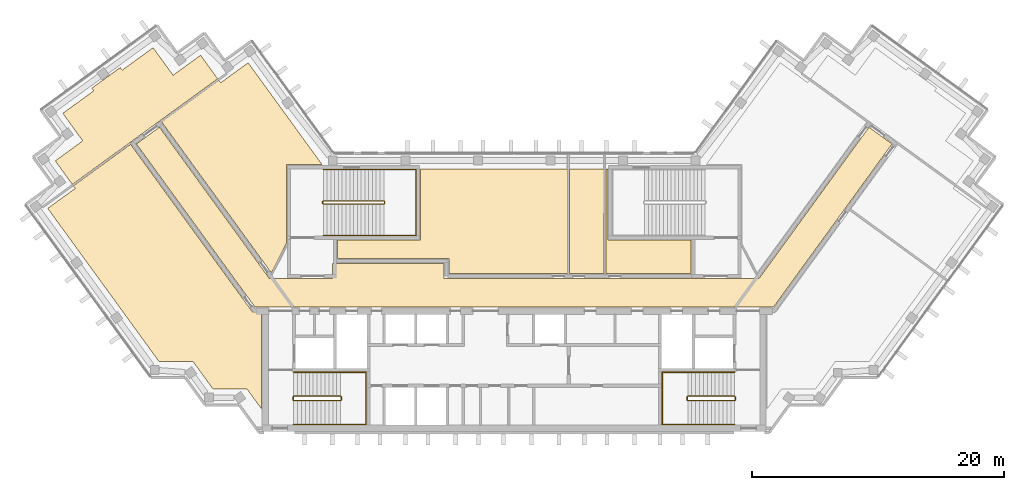
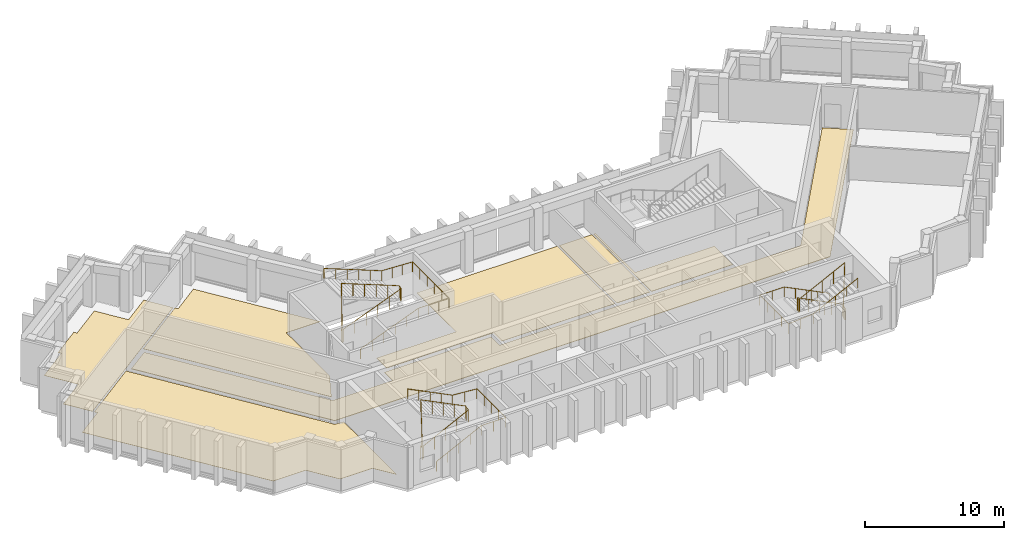
# One storey, part 7 of 8: 7 coverings, 6 railings.
"""IFC4 building model written with IfcOpenShell, lengths in metres."""

from ifc_helpers import new_model, si_unit, direction, frame, origin, origin_2d, place, context, subcontext, project, spatial, polyline, circle, outline, extrude, material, layer, layer_set, type_object, element, save


model = new_model("IFC4")

# Units and contexts
model_context = context("Model", 3, precision=1e-05, world=origin(), true_north=direction((0.0, 1.0)))
body_context = subcontext(model_context, "Body", "Model", "MODEL_VIEW")
ifc_project = project(units=[si_unit("LENGTHUNIT", "METRE"), si_unit("AREAUNIT", "SQUARE_METRE"), si_unit("VOLUMEUNIT", "CUBIC_METRE"), si_unit("PLANEANGLEUNIT", "RADIAN"), si_unit("MASSUNIT", "GRAM", prefix="KILO")], contexts=[model_context])

# Site, building, storey
site_placement = place(None, origin())
site = spatial("IfcSite", under=ifc_project, at=site_placement, CompositionType="ELEMENT")
building_placement = place(site_placement, origin())
building = spatial("IfcBuilding", under=site, at=building_placement, Name="Quipu Civic Tower", CompositionType="ELEMENT")
storey_placement = place(building_placement, frame((0.0, 0.0, 343.0)))
storey = spatial("IfcBuildingStorey", under=building, at=storey_placement, Name="L80", CompositionType="ELEMENT", Elevation=343.0)

# Coverings
ifc_material_1 = material(Name="Carpet tile on raised access floor")
ifc_layer_1 = layer(ifc_material_1, 0.02001953125)
ifc_layer_set_1 = layer_set([ifc_layer_1], Name="Carpet tile on raised access floor")
covering_type_1 = type_object("IfcCoveringType", Name="Carpet tile floor finish 20", PredefinedType="FLOORING", material=ifc_layer_set_1)
covering_1_placement = place(storey_placement, origin())
element("IfcCovering", 1, at=covering_1_placement, inside=storey, type_object=covering_type_1, Name="Carpet tile floor finish 20", PredefinedType="FLOORING", context=body_context, shape_type="SweptSolid", body=[
    extrude(outline(polyline([(-27.987060546875, 13.5791015625), (-23.447998046875, 16.876953125), (-23.299072265625, 16.676025390625), (-21.115966796875, 18.260986328125), (-15.238037109375, 10.169921875), (-18.070068359375, 10.1689453125), (-18.070068359375, 3.94189453125), (-19.27197265625, 1.583984375), (-27.987060546875, 13.5791015625)])), origin(), (0.0, 0.0, 1.0), 0.02001953125),
])
covering_2_placement = place(storey_placement, origin())
element("IfcCovering", 2, at=covering_2_placement, inside=storey, type_object=covering_type_1, Name="Carpet tile floor finish 20", PredefinedType="FLOORING", context=body_context, shape_type="SweptSolid", body=[
    extrude(outline(polyline([(-36.425048828125, 10.47705078125), (-34.240966796875, 12.06396484375), (-35.826904296875, 14.248046875), (-33.3701171875, 16.032958984375), (-33.52197265625, 16.2451171875), (-31.27099609375, 17.8798828125), (-31.116943359375, 17.6708984375), (-28.658935546875, 19.455078125), (-27.073974609375, 17.27197265625), (-24.888916015625, 18.85791015625), (-23.531005859375, 16.989013671875), (-35.068115234375, 8.60791015625), (-36.425048828125, 10.47705078125)])), origin(), (0.0, 0.0, 1.0), 0.02001953125),
])
covering_3_placement = place(storey_placement, origin())
element("IfcCovering", 3, at=covering_3_placement, inside=storey, type_object=covering_type_1, Name="Carpet tile floor finish 20", PredefinedType="FLOORING", context=body_context, shape_type="SweptSolid", body=[
    extrude(outline(polyline([(-14.030029296875, 2.719970703125), (-14.030029296875, 4.179931640625), (-7.430908203125, 4.180908203125), (-7.429931640625, 9.830078125), (4.2490234375, 9.830078125), (4.2490234375, 1.52001953125), (-5.179931640625, 1.52001953125), (-5.181884765625, 2.719970703125), (-14.030029296875, 2.719970703125)])), origin(), (0.0, 0.0, 1.0), 0.02001953125),
])
covering_4_placement = place(storey_placement, origin())
element("IfcCovering", 4, at=covering_4_placement, inside=storey, type_object=covering_type_1, Name="Carpet tile floor finish 20", PredefinedType="FLOORING", context=body_context, shape_type="SweptSolid", body=[
    extrude(outline(polyline([(-37.02197265625, 6.7060546875), (-34.839111328125, 8.291015625), (-34.985107421875, 8.493896484375), (-30.446044921875, 11.7919921875), (-20.77490234375, -1.51904296875), (-20.070068359375, -1.52001953125), (-20.070068359375, -9.195068359375), (-21.196044921875, -7.64599609375), (-23.89501953125, -7.64599609375), (-25.48193359375, -5.4619140625), (-28.181884765625, -5.4609375), (-37.02197265625, 6.7060546875)])), origin(), (0.0, 0.0, 1.0), 0.02001953125),
])
ifc_material_2 = material(Name="Ceramic floor tile")
ifc_layer_2 = layer(ifc_material_2, 0.030029296875)
ifc_layer_set_2 = layer_set([ifc_layer_2], Name="Ceramic floor tile")
covering_type_2 = type_object("IfcCoveringType", Name="Ceramic tile floor finish 30", PredefinedType="FLOORING", material=ifc_layer_set_2)
covering_5_placement = place(storey_placement, origin())
element("IfcCovering", 5, at=covering_5_placement, inside=storey, type_object=covering_type_2, Name="Ceramic tile floor finish 30", PredefinedType="FLOORING", context=body_context, shape_type="SweptSolid", body=[
    extrude(outline(polyline([(4.388916015625, 1.52001953125), (4.388916015625, 9.830078125), (7.1279296875, 9.830078125), (7.1279296875, 1.52001953125), (4.388916015625, 1.52001953125)])), origin(), (0.0, 0.0, 1.0), 0.030029296875),
])
covering_6_placement = place(storey_placement, origin())
element("IfcCovering", 6, at=covering_6_placement, inside=storey, type_object=covering_type_2, Name="Ceramic tile floor finish 30", PredefinedType="FLOORING", context=body_context, shape_type="SweptSolid", body=[
    extrude(outline(polyline([(7.26806640625, 1.52001953125), (7.26806640625, 9.830078125), (7.429931640625, 9.830078125), (7.429931640625, 4.180908203125), (14.030029296875, 4.179931640625), (14.030029296875, 1.52001953125), (7.26806640625, 1.52001953125)])), origin(), (0.0, 0.0, 1.0), 0.030029296875),
])

# Railings
ifc_material_3 = material(Name="Stainless steel", Category="steel")
railing_type_1 = type_object("IfcRailingType", Name="Stair guard 1100", PredefinedType="GUARDRAIL", material=ifc_material_3)
railing_1_placement = place(storey_placement, frame((-17.5, -8.550048828125, 0.15380859375)))
element("IfcRailing", 7, at=railing_1_placement, inside=storey, type_object=railing_type_1, Name="Stair 1 guard", PredefinedType="GUARDRAIL", context=body_context, shape_type="SweptSolid", body=[
    extrude(circle(Radius=0.02392578125, at=origin_2d()), frame((0.0, 0.0, 1.076171875), z_axis=(0.895751851347, 0.0, 0.444554407028), x_axis=(0.0, 1.0, 0.0)), (0.0, 0.0, 1.0), 4.15283203125),
    extrude(circle(Radius=0.02392578125, at=origin_2d()), frame((3.719970703125, 0.0, 2.92236328125), z_axis=(0.707106781187, 0.707106781187, 0.0), x_axis=(-0.707106781187, 0.707106781187, 0.0)), (0.0, 0.0, 1.0), 0.07080078125),
    extrude(circle(Radius=0.02392578125, at=origin_2d()), frame((3.77001953125, 0.050048828125, 2.92236328125), z_axis=(0.0, 1.0, 0.0), x_axis=(-1.0, 0.0, 0.0)), (0.0, 0.0, 1.0), 0.25),
    extrude(circle(Radius=0.02392578125, at=origin_2d()), frame((3.77001953125, 0.300048828125, 2.92236328125), z_axis=(-0.295599637079, 0.295599637079, 0.908428152975), x_axis=(-0.707106781187, -0.707106781187, 0.0)), (0.0, 0.0, 1.0), 0.16943359375),
    extrude(circle(Radius=0.02392578125, at=origin_2d()), frame((3.719970703125, 0.35009765625, 3.076171875), z_axis=(-0.895751851347, 0.0, 0.444554407028), x_axis=(0.0, -1.0, 0.0)), (0.0, 0.0, 1.0), 4.15283203125),
    extrude(circle(Radius=0.02392578125, at=origin_2d()), frame((0.0, 0.35009765625, 4.92236328125), z_axis=(-0.012476181752, -0.074796231092, -0.997120789425), x_axis=(0.986372223864, -0.164529134168, 0.0)), (0.0, 0.0, 1.0), 4.011474609375),
    extrude(circle(Radius=0.02392578125, at=origin_2d()), frame((-0.050048828125, 0.050048828125, 0.92236328125), z_axis=(0.0, 1.0, 0.0), x_axis=(-1.0, 0.0, 0.0)), (0.0, 0.0, 1.0), 0.25),
    extrude(circle(Radius=0.02099609375, at=origin_2d()), origin(), (0.0, 0.0, 1.0), 1.052001953125),
    extrude(circle(Radius=0.02099609375, at=origin_2d()), frame((0.929931640625, 0.0, 0.46142578125)), (0.0, 0.0, 1.0), 1.052001953125),
    extrude(circle(Radius=0.02099609375, at=origin_2d()), frame((1.85986328125, 0.0, 0.923095703125)), (0.0, 0.0, 1.0), 1.052001953125),
    extrude(circle(Radius=0.02099609375, at=origin_2d()), frame((2.7900390625, 0.0, 1.384765625)), (0.0, 0.0, 1.0), 1.052001953125),
    extrude(circle(Radius=0.02099609375, at=origin_2d()), frame((3.719970703125, 0.0, 1.84619140625)), (0.0, 0.0, 1.0), 1.052001953125),
    extrude(circle(Radius=0.02099609375, at=origin_2d()), frame((3.77001953125, 0.050048828125, 1.84619140625)), (0.0, 0.0, 1.0), 1.052001953125),
    extrude(circle(Radius=0.02099609375, at=origin_2d()), frame((3.77001953125, 0.300048828125, 1.84619140625)), (0.0, 0.0, 1.0), 1.052001953125),
    extrude(circle(Radius=0.02099609375, at=origin_2d()), frame((3.719970703125, 0.35009765625, 2.0)), (0.0, 0.0, 1.0), 1.052001953125),
    extrude(circle(Radius=0.02099609375, at=origin_2d()), frame((2.7900390625, 0.35009765625, 2.46142578125)), (0.0, 0.0, 1.0), 1.052001953125),
    extrude(circle(Radius=0.02099609375, at=origin_2d()), frame((1.85986328125, 0.35009765625, 2.923095703125)), (0.0, 0.0, 1.0), 1.052001953125),
    extrude(circle(Radius=0.02099609375, at=origin_2d()), frame((0.929931640625, 0.35009765625, 3.384765625)), (0.0, 0.0, 1.0), 1.052001953125),
    extrude(circle(Radius=0.02099609375, at=origin_2d()), frame((0.0, 0.35009765625, 3.84619140625)), (0.0, 0.0, 1.0), 1.052001953125),
    extrude(circle(Radius=0.02099609375, at=origin_2d()), frame((-0.012451171875, 0.275146484375, 2.84619140625)), (0.0, 0.0, 1.0), 1.052001953125),
    extrude(circle(Radius=0.02099609375, at=origin_2d()), frame((-0.02490234375, 0.2001953125, 1.84619140625)), (0.0, 0.0, 1.0), 1.052001953125),
    extrude(circle(Radius=0.02099609375, at=origin_2d()), frame((-0.03759765625, 0.125, 0.84619140625)), (0.0, 0.0, 1.0), 1.052001953125),
    extrude(circle(Radius=0.02099609375, at=origin_2d()), frame((-0.050048828125, 0.050048828125, -0.15380859375)), (0.0, 0.0, 1.0), 1.052001953125),
    extrude(circle(Radius=0.02099609375, at=origin_2d()), frame((-0.050048828125, 0.300048828125, -0.15380859375)), (0.0, 0.0, 1.0), 1.052001953125),
])
railing_2_placement = place(storey_placement, frame((17.5, -8.199951171875, 0.15380859375)))
element("IfcRailing", 8, at=railing_2_placement, inside=storey, type_object=railing_type_1, Name="Stair 2 guard", PredefinedType="GUARDRAIL", context=body_context, shape_type="SweptSolid", body=[
    extrude(circle(Radius=0.02392578125, at=origin_2d()), frame((0.0, 0.0, 1.076171875), z_axis=(-0.895751851347, 0.0, 0.444554407028), x_axis=(0.0, -1.0, 0.0)), (0.0, 0.0, 1.0), 4.15283203125),
    extrude(circle(Radius=0.02392578125, at=origin_2d()), frame((-3.719970703125, 0.0, 2.92236328125), z_axis=(-0.707106781187, -0.707106781187, 0.0), x_axis=(0.707106781187, -0.707106781187, 0.0)), (0.0, 0.0, 1.0), 0.07080078125),
    extrude(circle(Radius=0.02392578125, at=origin_2d()), frame((-3.77001953125, -0.050048828125, 2.92236328125), z_axis=(0.0, -1.0, 0.0), x_axis=(1.0, 0.0, 0.0)), (0.0, 0.0, 1.0), 0.25),
    extrude(circle(Radius=0.02392578125, at=origin_2d()), frame((-3.77001953125, -0.300048828125, 2.92236328125), z_axis=(0.295599637079, -0.295599637079, 0.908428152975), x_axis=(0.707106781187, 0.707106781187, 0.0)), (0.0, 0.0, 1.0), 0.16943359375),
    extrude(circle(Radius=0.02392578125, at=origin_2d()), frame((-3.719970703125, -0.35009765625, 3.076171875), z_axis=(0.895751851347, 0.0, 0.444554407028), x_axis=(0.0, 1.0, 0.0)), (0.0, 0.0, 1.0), 4.15283203125),
    extrude(circle(Radius=0.02392578125, at=origin_2d()), frame((0.0, -0.35009765625, 4.92236328125), z_axis=(0.012476181752, 0.074796231092, -0.997120789425), x_axis=(-0.986372223864, 0.164529134168, 0.0)), (0.0, 0.0, 1.0), 4.011474609375),
    extrude(circle(Radius=0.02392578125, at=origin_2d()), frame((0.050048828125, -0.050048828125, 0.92236328125), z_axis=(0.0, -1.0, 0.0), x_axis=(1.0, 0.0, 0.0)), (0.0, 0.0, 1.0), 0.25),
    extrude(circle(Radius=0.02099609375, at=origin_2d()), origin(), (0.0, 0.0, 1.0), 1.052001953125),
    extrude(circle(Radius=0.02099609375, at=origin_2d()), frame((-0.929931640625, 0.0, 0.46142578125)), (0.0, 0.0, 1.0), 1.052001953125),
    extrude(circle(Radius=0.02099609375, at=origin_2d()), frame((-1.85986328125, 0.0, 0.923095703125)), (0.0, 0.0, 1.0), 1.052001953125),
    extrude(circle(Radius=0.02099609375, at=origin_2d()), frame((-2.7900390625, 0.0, 1.384765625)), (0.0, 0.0, 1.0), 1.052001953125),
    extrude(circle(Radius=0.02099609375, at=origin_2d()), frame((-3.719970703125, 0.0, 1.84619140625)), (0.0, 0.0, 1.0), 1.052001953125),
    extrude(circle(Radius=0.02099609375, at=origin_2d()), frame((-3.77001953125, -0.050048828125, 1.84619140625)), (0.0, 0.0, 1.0), 1.052001953125),
    extrude(circle(Radius=0.02099609375, at=origin_2d()), frame((-3.77001953125, -0.300048828125, 1.84619140625)), (0.0, 0.0, 1.0), 1.052001953125),
    extrude(circle(Radius=0.02099609375, at=origin_2d()), frame((-3.719970703125, -0.35009765625, 2.0)), (0.0, 0.0, 1.0), 1.052001953125),
    extrude(circle(Radius=0.02099609375, at=origin_2d()), frame((-2.7900390625, -0.35009765625, 2.46142578125)), (0.0, 0.0, 1.0), 1.052001953125),
    extrude(circle(Radius=0.02099609375, at=origin_2d()), frame((-1.85986328125, -0.35009765625, 2.923095703125)), (0.0, 0.0, 1.0), 1.052001953125),
    extrude(circle(Radius=0.02099609375, at=origin_2d()), frame((-0.929931640625, -0.35009765625, 3.384765625)), (0.0, 0.0, 1.0), 1.052001953125),
    extrude(circle(Radius=0.02099609375, at=origin_2d()), frame((0.0, -0.35009765625, 3.84619140625)), (0.0, 0.0, 1.0), 1.052001953125),
    extrude(circle(Radius=0.02099609375, at=origin_2d()), frame((0.012451171875, -0.275146484375, 2.84619140625)), (0.0, 0.0, 1.0), 1.052001953125),
    extrude(circle(Radius=0.02099609375, at=origin_2d()), frame((0.02490234375, -0.2001953125, 1.84619140625)), (0.0, 0.0, 1.0), 1.052001953125),
    extrude(circle(Radius=0.02099609375, at=origin_2d()), frame((0.03759765625, -0.125, 0.84619140625)), (0.0, 0.0, 1.0), 1.052001953125),
    extrude(circle(Radius=0.02099609375, at=origin_2d()), frame((0.050048828125, -0.050048828125, -0.15380859375)), (0.0, 0.0, 1.0), 1.052001953125),
    extrude(circle(Radius=0.02099609375, at=origin_2d()), frame((0.050048828125, -0.300048828125, -0.15380859375)), (0.0, 0.0, 1.0), 1.052001953125),
])
railing_3_placement = place(storey_placement, frame((-15.14990234375, 7.050048828125, 0.11767578125)))
element("IfcRailing", 9, at=railing_3_placement, inside=storey, type_object=railing_type_1, Name="Stair 3 guard", PredefinedType="GUARDRAIL", context=body_context, shape_type="SweptSolid", body=[
    extrude(circle(Radius=0.02392578125, at=origin_2d()), frame((0.0, 0.0, 1.076171875), z_axis=(0.930970042603, 0.0, 0.365095576219), x_axis=(0.0, 1.0, 0.0)), (0.0, 0.0, 1.0), 5.15576171875),
    extrude(circle(Radius=0.02392578125, at=origin_2d()), frame((4.7998046875, 0.0, 2.95849609375), z_axis=(0.707106781187, 0.707106781187, 0.0), x_axis=(-0.707106781187, 0.707106781187, 0.0)), (0.0, 0.0, 1.0), 0.07080078125),
    extrude(circle(Radius=0.02392578125, at=origin_2d()), frame((4.849853515625, 0.050048828125, 2.95849609375), z_axis=(0.0, 1.0, 0.0), x_axis=(-1.0, 0.0, 0.0)), (0.0, 0.0, 1.0), 0.14990234375),
    extrude(circle(Radius=0.02392578125, at=origin_2d()), frame((4.849853515625, 0.199951171875, 2.95849609375), z_axis=(-0.364463019033, 0.364463019033, 0.856932561824), x_axis=(-0.707106781187, -0.707106781187, 0.0)), (0.0, 0.0, 1.0), 0.13720703125),
    extrude(circle(Radius=0.02392578125, at=origin_2d()), frame((4.7998046875, 0.25, 3.076171875), z_axis=(-0.930970042603, 0.0, 0.365095576219), x_axis=(0.0, -1.0, 0.0)), (0.0, 0.0, 1.0), 5.15576171875),
    extrude(circle(Radius=0.02392578125, at=origin_2d()), frame((0.0, 0.25, 4.95849609375), z_axis=(-0.012495627992, -0.049921557685, -0.998674970829), x_axis=(0.970072785993, -0.242814311512, 0.0)), (0.0, 0.0, 1.0), 4.00537109375),
    extrude(circle(Radius=0.02392578125, at=origin_2d()), frame((-0.050048828125, 0.050048828125, 0.95849609375), z_axis=(0.0, 1.0, 0.0), x_axis=(-1.0, 0.0, 0.0)), (0.0, 0.0, 1.0), 0.14990234375),
    extrude(circle(Radius=0.02099609375, at=origin_2d()), origin(), (0.0, 0.0, 1.0), 1.052001953125),
    extrude(circle(Radius=0.02099609375, at=origin_2d()), frame((0.9599609375, 0.0, 0.37646484375)), (0.0, 0.0, 1.0), 1.052001953125),
    extrude(circle(Radius=0.02099609375, at=origin_2d()), frame((1.919921875, 0.0, 0.7529296875)), (0.0, 0.0, 1.0), 1.052001953125),
    extrude(circle(Radius=0.02099609375, at=origin_2d()), frame((2.8798828125, 0.0, 1.12939453125)), (0.0, 0.0, 1.0), 1.052001953125),
    extrude(circle(Radius=0.02099609375, at=origin_2d()), frame((3.83984375, 0.0, 1.505859375)), (0.0, 0.0, 1.0), 1.052001953125),
    extrude(circle(Radius=0.02099609375, at=origin_2d()), frame((4.7998046875, 0.0, 1.88232421875)), (0.0, 0.0, 1.0), 1.052001953125),
    extrude(circle(Radius=0.02099609375, at=origin_2d()), frame((4.849853515625, 0.050048828125, 1.88232421875)), (0.0, 0.0, 1.0), 1.052001953125),
    extrude(circle(Radius=0.02099609375, at=origin_2d()), frame((4.849853515625, 0.199951171875, 1.88232421875)), (0.0, 0.0, 1.0), 1.052001953125),
    extrude(circle(Radius=0.02099609375, at=origin_2d()), frame((4.7998046875, 0.25, 2.0)), (0.0, 0.0, 1.0), 1.052001953125),
    extrude(circle(Radius=0.02099609375, at=origin_2d()), frame((3.83984375, 0.25, 2.37646484375)), (0.0, 0.0, 1.0), 1.052001953125),
    extrude(circle(Radius=0.02099609375, at=origin_2d()), frame((2.8798828125, 0.25, 2.7529296875)), (0.0, 0.0, 1.0), 1.052001953125),
    extrude(circle(Radius=0.02099609375, at=origin_2d()), frame((1.919921875, 0.25, 3.12939453125)), (0.0, 0.0, 1.0), 1.052001953125),
    extrude(circle(Radius=0.02099609375, at=origin_2d()), frame((0.9599609375, 0.25, 3.505859375)), (0.0, 0.0, 1.0), 1.052001953125),
    extrude(circle(Radius=0.02099609375, at=origin_2d()), frame((0.0, 0.25, 3.88232421875)), (0.0, 0.0, 1.0), 1.052001953125),
    extrude(circle(Radius=0.02099609375, at=origin_2d()), frame((-0.012451171875, 0.199951171875, 2.88232421875)), (0.0, 0.0, 1.0), 1.052001953125),
    extrude(circle(Radius=0.02099609375, at=origin_2d()), frame((-0.02490234375, 0.14990234375, 1.88232421875)), (0.0, 0.0, 1.0), 1.052001953125),
    extrude(circle(Radius=0.02099609375, at=origin_2d()), frame((-0.03759765625, 0.10009765625, 0.88232421875)), (0.0, 0.0, 1.0), 1.052001953125),
    extrude(circle(Radius=0.02099609375, at=origin_2d()), frame((-0.050048828125, 0.050048828125, -0.11767578125)), (0.0, 0.0, 1.0), 1.052001953125),
    extrude(circle(Radius=0.02099609375, at=origin_2d()), frame((-0.050048828125, 0.199951171875, -0.11767578125)), (0.0, 0.0, 1.0), 1.052001953125),
])
ifc_material_4 = material(Name="Stainless steel", Category="steel")
railing_type_2 = type_object("IfcRailingType", Name="Stair handrail", PredefinedType="HANDRAIL", material=ifc_material_4)
railing_4_placement = place(storey_placement, frame((-17.5, -10.449951171875, 0.15380859375)))
element("IfcRailing", 10, at=railing_4_placement, inside=storey, type_object=railing_type_2, Name="Stair 1 handrail", PredefinedType="HANDRAIL", context=body_context, shape_type="SweptSolid", body=[
    extrude(circle(Radius=0.02392578125, at=origin_2d()), frame((0.0, 0.0, 0.8759765625), z_axis=(0.895751851347, 0.0, 0.444554407028), x_axis=(0.0, 1.0, 0.0)), (0.0, 0.0, 1.0), 4.15283203125),
    extrude(circle(Radius=0.02392578125, at=origin_2d()), frame((3.719970703125, 0.0, 2.72216796875), z_axis=(1.0, 0.0, 0.0), x_axis=(0.0, 1.0, 0.0)), (0.0, 0.0, 1.0), 2.030029296875),
    extrude(circle(Radius=0.02392578125, at=origin_2d()), frame((5.75, 0.0, 2.72216796875), z_axis=(0.0, 1.0, 0.0), x_axis=(-1.0, 0.0, 0.0)), (0.0, 0.0, 1.0), 4.14990234375),
    extrude(circle(Radius=0.02392578125, at=origin_2d()), frame((5.75, 4.14990234375, 2.72216796875), z_axis=(-0.997142003663, 0.0, 0.075550145798), x_axis=(0.0, -1.0, 0.0)), (0.0, 0.0, 1.0), 2.035888671875),
    extrude(circle(Radius=0.02392578125, at=origin_2d()), frame((3.719970703125, 4.14990234375, 2.8759765625), z_axis=(-0.895751851347, 0.0, 0.444554407028), x_axis=(0.0, -1.0, 0.0)), (0.0, 0.0, 1.0), 4.15283203125),
    extrude(circle(Radius=0.02099609375, at=origin_2d()), origin(), (0.0, 0.0, 1.0), 0.851806640625),
    extrude(circle(Radius=0.02099609375, at=origin_2d()), frame((0.929931640625, 0.0, 0.46142578125)), (0.0, 0.0, 1.0), 0.851806640625),
    extrude(circle(Radius=0.02099609375, at=origin_2d()), frame((1.85986328125, 0.0, 0.923095703125)), (0.0, 0.0, 1.0), 0.851806640625),
    extrude(circle(Radius=0.02099609375, at=origin_2d()), frame((2.7900390625, 0.0, 1.384765625)), (0.0, 0.0, 1.0), 0.851806640625),
    extrude(circle(Radius=0.02099609375, at=origin_2d()), frame((3.719970703125, 0.0, 1.84619140625)), (0.0, 0.0, 1.0), 0.851806640625),
    extrude(circle(Radius=0.02099609375, at=origin_2d()), frame((4.73486328125, 0.0, 1.84619140625)), (0.0, 0.0, 1.0), 0.851806640625),
    extrude(circle(Radius=0.02099609375, at=origin_2d()), frame((5.75, 0.0, 1.84619140625)), (0.0, 0.0, 1.0), 0.851806640625),
    extrude(circle(Radius=0.02099609375, at=origin_2d()), frame((5.75, 1.03759765625, 1.84619140625)), (0.0, 0.0, 1.0), 0.851806640625),
    extrude(circle(Radius=0.02099609375, at=origin_2d()), frame((5.75, 2.074951171875, 1.84619140625)), (0.0, 0.0, 1.0), 0.851806640625),
    extrude(circle(Radius=0.02099609375, at=origin_2d()), frame((5.75, 3.1123046875, 1.84619140625)), (0.0, 0.0, 1.0), 0.851806640625),
    extrude(circle(Radius=0.02099609375, at=origin_2d()), frame((5.75, 4.14990234375, 1.84619140625)), (0.0, 0.0, 1.0), 0.851806640625),
    extrude(circle(Radius=0.02099609375, at=origin_2d()), frame((4.73486328125, 4.14990234375, 1.923095703125)), (0.0, 0.0, 1.0), 0.851806640625),
    extrude(circle(Radius=0.02099609375, at=origin_2d()), frame((3.719970703125, 4.14990234375, 2.0)), (0.0, 0.0, 1.0), 0.851806640625),
    extrude(circle(Radius=0.02099609375, at=origin_2d()), frame((2.7900390625, 4.14990234375, 2.46142578125)), (0.0, 0.0, 1.0), 0.851806640625),
    extrude(circle(Radius=0.02099609375, at=origin_2d()), frame((1.85986328125, 4.14990234375, 2.923095703125)), (0.0, 0.0, 1.0), 0.851806640625),
    extrude(circle(Radius=0.02099609375, at=origin_2d()), frame((0.929931640625, 4.14990234375, 3.384765625)), (0.0, 0.0, 1.0), 0.851806640625),
    extrude(circle(Radius=0.02099609375, at=origin_2d()), frame((0.0, 4.14990234375, 3.84619140625)), (0.0, 0.0, 1.0), 0.851806640625),
])
railing_5_placement = place(storey_placement, frame((17.5, -6.300048828125, 0.15380859375)))
element("IfcRailing", 11, at=railing_5_placement, inside=storey, type_object=railing_type_2, Name="Stair 2 handrail", PredefinedType="HANDRAIL", context=body_context, shape_type="SweptSolid", body=[
    extrude(circle(Radius=0.02392578125, at=origin_2d()), frame((0.0, 0.0, 0.8759765625), z_axis=(-0.895751851347, 0.0, 0.444554407028), x_axis=(0.0, -1.0, 0.0)), (0.0, 0.0, 1.0), 4.15283203125),
    extrude(circle(Radius=0.02392578125, at=origin_2d()), frame((-3.719970703125, 0.0, 2.72216796875), z_axis=(-1.0, 0.0, 0.0), x_axis=(0.0, -1.0, 0.0)), (0.0, 0.0, 1.0), 2.030029296875),
    extrude(circle(Radius=0.02392578125, at=origin_2d()), frame((-5.75, 0.0, 2.72216796875), z_axis=(0.0, -1.0, 0.0), x_axis=(1.0, 0.0, 0.0)), (0.0, 0.0, 1.0), 4.14990234375),
    extrude(circle(Radius=0.02392578125, at=origin_2d()), frame((-5.75, -4.14990234375, 2.72216796875), z_axis=(0.997142003663, 0.0, 0.075550145798), x_axis=(0.0, 1.0, 0.0)), (0.0, 0.0, 1.0), 2.035888671875),
    extrude(circle(Radius=0.02392578125, at=origin_2d()), frame((-3.719970703125, -4.14990234375, 2.8759765625), z_axis=(0.895751851347, 0.0, 0.444554407028), x_axis=(0.0, 1.0, 0.0)), (0.0, 0.0, 1.0), 4.15283203125),
    extrude(circle(Radius=0.02099609375, at=origin_2d()), origin(), (0.0, 0.0, 1.0), 0.851806640625),
    extrude(circle(Radius=0.02099609375, at=origin_2d()), frame((-0.929931640625, 0.0, 0.46142578125)), (0.0, 0.0, 1.0), 0.851806640625),
    extrude(circle(Radius=0.02099609375, at=origin_2d()), frame((-1.85986328125, 0.0, 0.923095703125)), (0.0, 0.0, 1.0), 0.851806640625),
    extrude(circle(Radius=0.02099609375, at=origin_2d()), frame((-2.7900390625, 0.0, 1.384765625)), (0.0, 0.0, 1.0), 0.851806640625),
    extrude(circle(Radius=0.02099609375, at=origin_2d()), frame((-3.719970703125, 0.0, 1.84619140625)), (0.0, 0.0, 1.0), 0.851806640625),
    extrude(circle(Radius=0.02099609375, at=origin_2d()), frame((-4.73486328125, 0.0, 1.84619140625)), (0.0, 0.0, 1.0), 0.851806640625),
    extrude(circle(Radius=0.02099609375, at=origin_2d()), frame((-5.75, 0.0, 1.84619140625)), (0.0, 0.0, 1.0), 0.851806640625),
    extrude(circle(Radius=0.02099609375, at=origin_2d()), frame((-5.75, -1.03759765625, 1.84619140625)), (0.0, 0.0, 1.0), 0.851806640625),
    extrude(circle(Radius=0.02099609375, at=origin_2d()), frame((-5.75, -2.074951171875, 1.84619140625)), (0.0, 0.0, 1.0), 0.851806640625),
    extrude(circle(Radius=0.02099609375, at=origin_2d()), frame((-5.75, -3.1123046875, 1.84619140625)), (0.0, 0.0, 1.0), 0.851806640625),
    extrude(circle(Radius=0.02099609375, at=origin_2d()), frame((-5.75, -4.14990234375, 1.84619140625)), (0.0, 0.0, 1.0), 0.851806640625),
    extrude(circle(Radius=0.02099609375, at=origin_2d()), frame((-4.73486328125, -4.14990234375, 1.923095703125)), (0.0, 0.0, 1.0), 0.851806640625),
    extrude(circle(Radius=0.02099609375, at=origin_2d()), frame((-3.719970703125, -4.14990234375, 2.0)), (0.0, 0.0, 1.0), 0.851806640625),
    extrude(circle(Radius=0.02099609375, at=origin_2d()), frame((-2.7900390625, -4.14990234375, 2.46142578125)), (0.0, 0.0, 1.0), 0.851806640625),
    extrude(circle(Radius=0.02099609375, at=origin_2d()), frame((-1.85986328125, -4.14990234375, 2.923095703125)), (0.0, 0.0, 1.0), 0.851806640625),
    extrude(circle(Radius=0.02099609375, at=origin_2d()), frame((-0.929931640625, -4.14990234375, 3.384765625)), (0.0, 0.0, 1.0), 0.851806640625),
    extrude(circle(Radius=0.02099609375, at=origin_2d()), frame((0.0, -4.14990234375, 3.84619140625)), (0.0, 0.0, 1.0), 0.851806640625),
])
railing_6_placement = place(storey_placement, frame((-15.14990234375, 4.550048828125, 0.11767578125)))
element("IfcRailing", 12, at=railing_6_placement, inside=storey, type_object=railing_type_2, Name="Stair 3 handrail", PredefinedType="HANDRAIL", context=body_context, shape_type="SweptSolid", body=[
    extrude(circle(Radius=0.02392578125, at=origin_2d()), frame((0.0, 0.0, 0.8759765625), z_axis=(0.930970042603, 0.0, 0.365095576219), x_axis=(0.0, 1.0, 0.0)), (0.0, 0.0, 1.0), 5.15576171875),
    extrude(circle(Radius=0.02392578125, at=origin_2d()), frame((4.7998046875, 0.0, 2.75830078125), z_axis=(1.0, 0.0, 0.0), x_axis=(0.0, 1.0, 0.0)), (0.0, 0.0, 1.0), 2.550048828125),
    extrude(circle(Radius=0.02392578125, at=origin_2d()), frame((7.349853515625, 0.0, 2.75830078125), z_axis=(0.0, 1.0, 0.0), x_axis=(-1.0, 0.0, 0.0)), (0.0, 0.0, 1.0), 5.25),
    extrude(circle(Radius=0.02392578125, at=origin_2d()), frame((7.349853515625, 5.25, 2.75830078125), z_axis=(-0.998936948642, 0.0, 0.04609742549), x_axis=(0.0, -1.0, 0.0)), (0.0, 0.0, 1.0), 2.552734375),
    extrude(circle(Radius=0.02392578125, at=origin_2d()), frame((4.7998046875, 5.25, 2.8759765625), z_axis=(-0.930970042603, 0.0, 0.365095576219), x_axis=(0.0, -1.0, 0.0)), (0.0, 0.0, 1.0), 5.15576171875),
    extrude(circle(Radius=0.02099609375, at=origin_2d()), origin(), (0.0, 0.0, 1.0), 0.851806640625),
    extrude(circle(Radius=0.02099609375, at=origin_2d()), frame((0.9599609375, 0.0, 0.37646484375)), (0.0, 0.0, 1.0), 0.851806640625),
    extrude(circle(Radius=0.02099609375, at=origin_2d()), frame((1.919921875, 0.0, 0.7529296875)), (0.0, 0.0, 1.0), 0.851806640625),
    extrude(circle(Radius=0.02099609375, at=origin_2d()), frame((2.8798828125, 0.0, 1.12939453125)), (0.0, 0.0, 1.0), 0.851806640625),
    extrude(circle(Radius=0.02099609375, at=origin_2d()), frame((3.83984375, 0.0, 1.505859375)), (0.0, 0.0, 1.0), 0.851806640625),
    extrude(circle(Radius=0.02099609375, at=origin_2d()), frame((4.7998046875, 0.0, 1.88232421875)), (0.0, 0.0, 1.0), 0.851806640625),
    extrude(circle(Radius=0.02099609375, at=origin_2d()), frame((5.64990234375, 0.0, 1.88232421875)), (0.0, 0.0, 1.0), 0.851806640625),
    extrude(circle(Radius=0.02099609375, at=origin_2d()), frame((6.499755859375, 0.0, 1.88232421875)), (0.0, 0.0, 1.0), 0.851806640625),
    extrude(circle(Radius=0.02099609375, at=origin_2d()), frame((7.349853515625, 0.0, 1.88232421875)), (0.0, 0.0, 1.0), 0.851806640625),
    extrude(circle(Radius=0.02099609375, at=origin_2d()), frame((7.349853515625, 1.050048828125, 1.88232421875)), (0.0, 0.0, 1.0), 0.851806640625),
    extrude(circle(Radius=0.02099609375, at=origin_2d()), frame((7.349853515625, 2.10009765625, 1.88232421875)), (0.0, 0.0, 1.0), 0.851806640625),
    extrude(circle(Radius=0.02099609375, at=origin_2d()), frame((7.349853515625, 3.14990234375, 1.88232421875)), (0.0, 0.0, 1.0), 0.851806640625),
    extrude(circle(Radius=0.02099609375, at=origin_2d()), frame((7.349853515625, 4.199951171875, 1.88232421875)), (0.0, 0.0, 1.0), 0.851806640625),
    extrude(circle(Radius=0.02099609375, at=origin_2d()), frame((7.349853515625, 5.25, 1.88232421875)), (0.0, 0.0, 1.0), 0.851806640625),
    extrude(circle(Radius=0.02099609375, at=origin_2d()), frame((6.499755859375, 5.25, 1.921630859375)), (0.0, 0.0, 1.0), 0.851806640625),
    extrude(circle(Radius=0.02099609375, at=origin_2d()), frame((5.64990234375, 5.25, 1.960693359375)), (0.0, 0.0, 1.0), 0.851806640625),
    extrude(circle(Radius=0.02099609375, at=origin_2d()), frame((4.7998046875, 5.25, 2.0)), (0.0, 0.0, 1.0), 0.851806640625),
    extrude(circle(Radius=0.02099609375, at=origin_2d()), frame((3.83984375, 5.25, 2.37646484375)), (0.0, 0.0, 1.0), 0.851806640625),
    extrude(circle(Radius=0.02099609375, at=origin_2d()), frame((2.8798828125, 5.25, 2.7529296875)), (0.0, 0.0, 1.0), 0.851806640625),
    extrude(circle(Radius=0.02099609375, at=origin_2d()), frame((1.919921875, 5.25, 3.12939453125)), (0.0, 0.0, 1.0), 0.851806640625),
    extrude(circle(Radius=0.02099609375, at=origin_2d()), frame((0.9599609375, 5.25, 3.505859375)), (0.0, 0.0, 1.0), 0.851806640625),
    extrude(circle(Radius=0.02099609375, at=origin_2d()), frame((0.0, 5.25, 3.88232421875)), (0.0, 0.0, 1.0), 0.851806640625),
])

# Covering
ifc_material_5 = material(Name="Terrazzo floor finish")
ifc_layer_3 = layer(ifc_material_5, 0.0400390625)
ifc_layer_set_3 = layer_set([ifc_layer_3], Name="Terrazzo floor finish")
covering_type_3 = type_object("IfcCoveringType", Name="Terrazzo floor finish 40", PredefinedType="FLOORING", material=ifc_layer_set_3)
covering_7_placement = place(storey_placement, origin())
element("IfcCovering", 13, at=covering_7_placement, inside=storey, type_object=covering_type_3, Name="Terrazzo floor finish 40", PredefinedType="FLOORING", context=body_context, shape_type="SweptSolid", body=[
    extrude(outline(polyline([(19.425048828125, 1.1298828125), (28.155029296875, 13.14697265625), (29.98291015625, 11.819091796875), (20.574951171875, -1.1298828125), (-20.574951171875, -1.1298828125), (-29.98291015625, 11.819091796875), (-28.155029296875, 13.14697265625), (-19.425048828125, 1.1298828125), (-14.429931640625, 1.1298828125), (-14.429931640625, 2.330078125), (-5.570068359375, 2.330078125), (-5.570068359375, 1.1298828125), (19.425048828125, 1.1298828125)])), origin(), (0.0, 0.0, 1.0), 0.0400390625),
])

save(model, "model.ifc")
